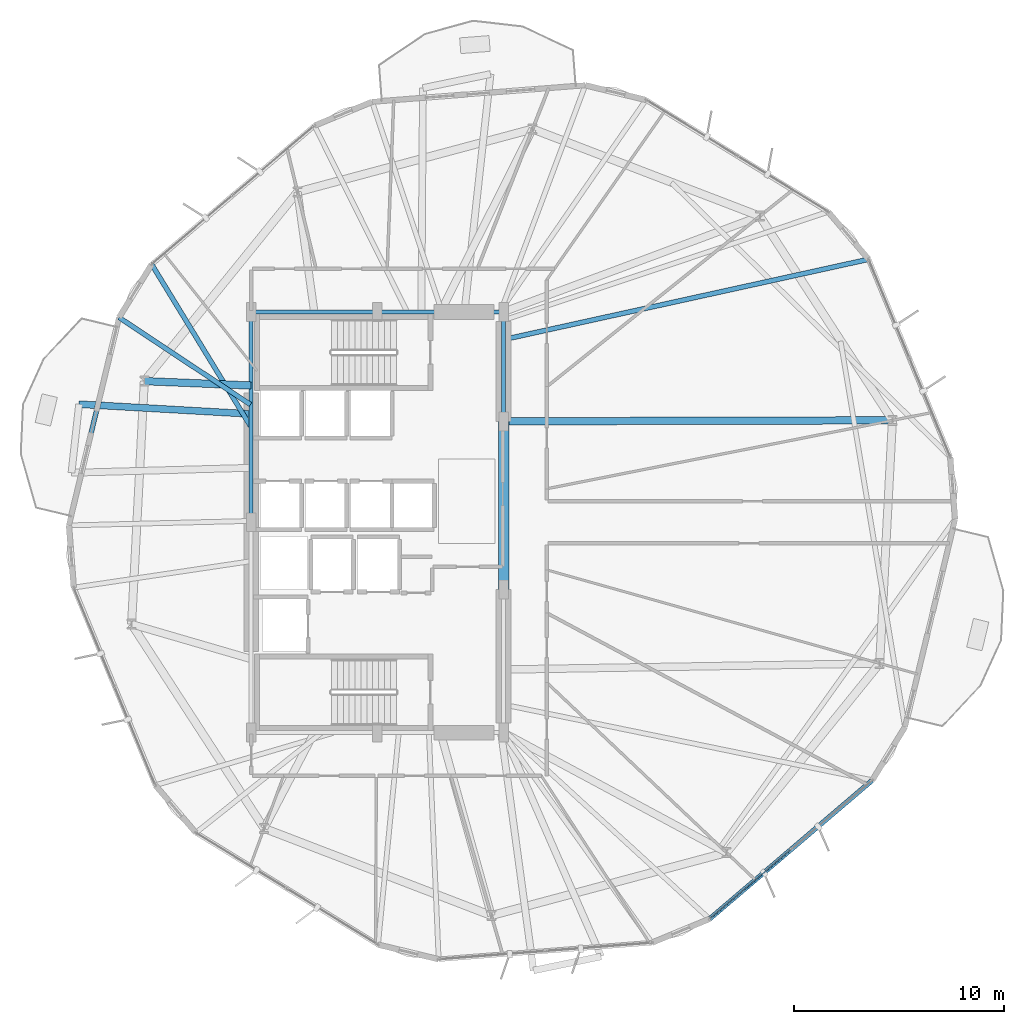
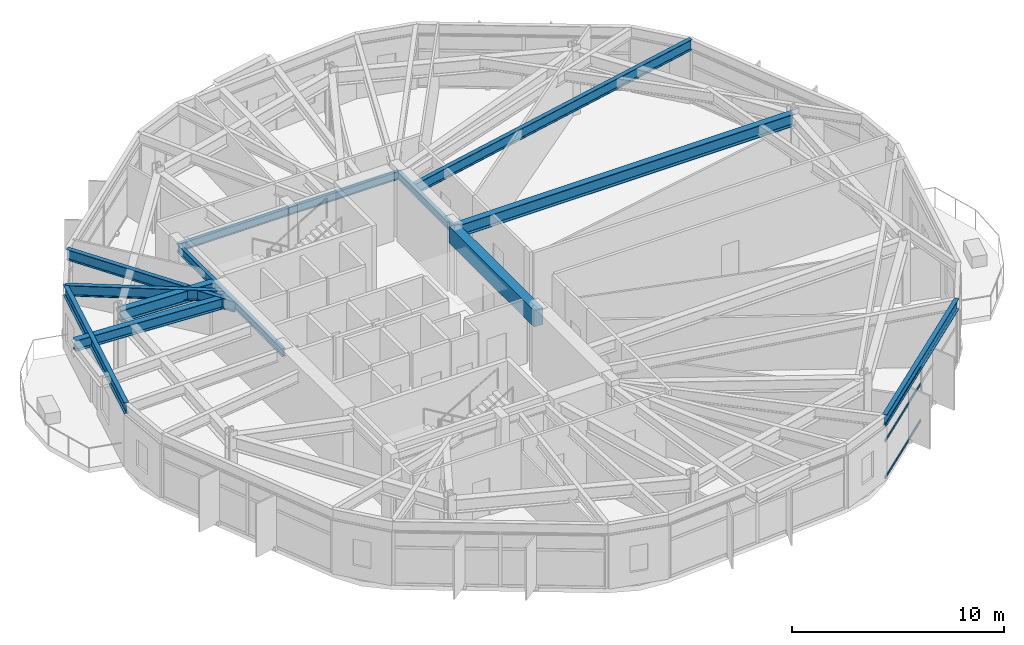
# One storey, part 8 of 22: 13 beams, 3 members, 1 element without a shape of its own.
"""IFC4 building model written with IfcOpenShell, lengths in metres."""

from ifc_helpers import new_model, si_unit, direction, frame, origin, origin_2d, place, context, subcontext, project, spatial, rectangle, hollow_rectangle, i_section, extrude, material, layer, layer_set, material_profile, profile_set, type_object, element, aggregate, save


model = new_model("IFC4")

# Units and contexts
model_context = context("Model", 3, precision=1e-05, world=origin(), true_north=direction((0.0, 1.0)))
body_context = subcontext(model_context, "Body", "Model", "MODEL_VIEW")
ifc_project = project(units=[si_unit("LENGTHUNIT", "METRE"), si_unit("AREAUNIT", "SQUARE_METRE"), si_unit("VOLUMEUNIT", "CUBIC_METRE"), si_unit("PLANEANGLEUNIT", "RADIAN"), si_unit("MASSUNIT", "GRAM", prefix="KILO")], contexts=[model_context])

# Site, building, storey
site_placement = place(None, origin())
site = spatial("IfcSite", under=ifc_project, at=site_placement, CompositionType="ELEMENT")
building_placement = place(site_placement, origin())
building = spatial("IfcBuilding", under=site, at=building_placement, Name="Soratama Intermodal Tower", CompositionType="ELEMENT")
storey_placement = place(building_placement, frame((0.0, 0.0, 50.60009765625)))
storey = spatial("IfcBuildingStorey", under=building, at=storey_placement, Name="L11", CompositionType="ELEMENT", Elevation=50.60009765625)

# Beams
ifc_material_1 = material(Name="Structural steel ASTM A992 Grade 50", Category="steel")
ifc_material_profile_1 = material_profile(ifc_material_1, i_section(OverallWidth=0.324951171875, OverallDepth=0.615966796875, WebThickness=0.013916015625, FlangeThickness=0.021484375, FilletRadius=0.013916015625, at=origin_2d()), Name="W24X117")
ifc_profile_set_1 = profile_set([ifc_material_profile_1], Name="Structural steel ASTM A992 Grade 50")
beam_type_1 = type_object("IfcBeamType", Name="BM-CANT-W24X117", PredefinedType="BEAM", material=ifc_profile_set_1)
beam_1_placement = place(storey_placement, frame((32.56005859375, 30.14892578125, 3.391845703125), z_axis=(-0.998384516691, 0.056818631031, 0.0), x_axis=(-0.056818631031, -0.998384516691, 0.0)))
element("IfcBeam", 1, at=beam_1_placement, inside=storey, type_object=beam_type_1, Name="BM-L11-CANT-2-1", PredefinedType="BEAM", context=body_context, shape_type="SweptSolid", body=[
    extrude(i_section(OverallWidth=0.324951171875, OverallDepth=0.615966796875, WebThickness=0.013916015625, FlangeThickness=0.021484375, FilletRadius=0.013916015625, at=origin_2d()), origin(), (0.0, 0.0, 1.0), 8.151123046875),
])
ifc_material_2 = material(Name="Concrete f'c 56 MPa", Category="concrete")
ifc_material_profile_2 = material_profile(ifc_material_2, rectangle(XDim=0.5, YDim=0.949951171875, at=origin_2d()), Name="RC500X950")
ifc_profile_set_2 = profile_set([ifc_material_profile_2], Name="Concrete f'c 56 MPa")
beam_type_2 = type_object("IfcBeamType", Name="BM-CPL-RC500X950", PredefinedType="BEAM", material=ifc_profile_set_2)
beam_2_placement = place(storey_placement, frame((44.60009765625, 21.800048828125, 3.224853515625), z_axis=(0.0, 1.0, 0.0), x_axis=(-1.0, 0.0, 0.0)))
element("IfcBeam", 2, at=beam_2_placement, inside=storey, type_object=beam_type_2, Name="L11 Core Coupling Beam East", PredefinedType="BEAM", context=body_context, shape_type="SweptSolid", body=[
    extrude(rectangle(XDim=0.5, YDim=0.949951171875, at=origin_2d()), origin(), (0.0, 0.0, 1.0), 8.0),
])
ifc_material_3 = material(Name="Structural steel ASTM A992 Grade 50", Category="steel")
ifc_material_profile_3 = material_profile(ifc_material_3, i_section(OverallWidth=0.19091796875, OverallDepth=0.4599609375, WebThickness=0.010009765625, FlangeThickness=0.01611328125, FilletRadius=0.010986328125, at=origin_2d()), Name="W18X55")
ifc_profile_set_3 = profile_set([ifc_material_profile_3], Name="Structural steel ASTM A992 Grade 50")
beam_type_3 = type_object("IfcBeamType", Name="BM-FLR-W18X55", PredefinedType="BEAM", material=ifc_profile_set_3)
beam_3_placement = place(storey_placement, frame((44.60009765625, 29.800048828125, 3.469970703125), z_axis=(0.0, 1.0, 0.0), x_axis=(-1.0, 0.0, 0.0)))
element("IfcBeam", 3, at=beam_3_placement, inside=storey, type_object=beam_type_3, Name="BM-L11-CRING-05", PredefinedType="BEAM", context=body_context, shape_type="SweptSolid", body=[
    extrude(i_section(OverallWidth=0.19091796875, OverallDepth=0.4599609375, WebThickness=0.010009765625, FlangeThickness=0.01611328125, FilletRadius=0.010986328125, at=origin_2d()), origin(), (0.0, 0.0, 1.0), 5.199951171875),
])
for number, where, z_axis, x_axis, name in (
    (4, (44.60009765625, 35.0, 3.469970703125), (-1.0, 0.0, 0.0), (0.0, -1.0, 0.0), "BM-L11-CRING-06"),
    (5, (38.60009765625, 35.0, 3.469970703125), (-1.0, 0.0, 0.0), (0.0, -1.0, 0.0), "BM-L11-CRING-07"),
):
    element("IfcBeam", number, at=place(storey_placement, frame(where, z_axis=z_axis, x_axis=x_axis)), inside=storey, type_object=beam_type_3, Name=name, PredefinedType="BEAM", context=body_context, shape_type="SweptSolid", body=[
        extrude(i_section(OverallWidth=0.19091796875, OverallDepth=0.4599609375, WebThickness=0.010009765625, FlangeThickness=0.01611328125, FilletRadius=0.010986328125, at=origin_2d()), origin(), (0.0, 0.0, 1.0), 6.0),
    ])
beam_4_placement = place(storey_placement, frame((32.60009765625, 35.0, 3.469970703125), z_axis=(0.0, -1.0, 0.0), x_axis=(1.0, 0.0, 0.0)))
element("IfcBeam", 6, at=beam_4_placement, inside=storey, type_object=beam_type_3, Name="BM-L11-CRING-08", PredefinedType="BEAM", context=body_context, shape_type="SweptSolid", body=[
    extrude(i_section(OverallWidth=0.19091796875, OverallDepth=0.4599609375, WebThickness=0.010009765625, FlangeThickness=0.01611328125, FilletRadius=0.010986328125, at=origin_2d()), origin(), (0.0, 0.0, 1.0), 10.0),
])
ifc_material_4 = material(Name="Structural steel ASTM A992 Grade 50", Category="steel")
ifc_material_profile_4 = material_profile(ifc_material_4, i_section(OverallWidth=0.35498046875, OverallDepth=0.695068359375, WebThickness=0.015380859375, FlangeThickness=0.02490234375, FilletRadius=0.01611328125, at=origin_2d()), Name="W27X146")
ifc_profile_set_4 = profile_set([ifc_material_profile_4], Name="Structural steel ASTM A992 Grade 50")
beam_type_4 = type_object("IfcBeamType", Name="BM-RING-W27X146", PredefinedType="BEAM", material=ifc_profile_set_4)
beam_5_placement = place(storey_placement, frame((44.60009765625, 29.800048828125, 3.352294921875), z_axis=(0.999997046146, 0.002430575896, 0.0), x_axis=(-0.002430575896, 0.999997046146, 0.0)))
element("IfcBeam", 7, at=beam_5_placement, inside=storey, type_object=beam_type_4, Name="BM-L11-RAD-01", PredefinedType="BEAM", context=body_context, shape_type="SweptSolid", body=[
    extrude(i_section(OverallWidth=0.35498046875, OverallDepth=0.695068359375, WebThickness=0.015380859375, FlangeThickness=0.02490234375, FilletRadius=0.01611328125, at=origin_2d()), origin(), (0.0, 0.0, 1.0), 18.48193359375),
])
beam_6_placement = place(storey_placement, frame((32.60009765625, 31.5, 3.352294921875), z_axis=(-0.999153929645, 0.041126936131, 0.0), x_axis=(-0.041126936131, -0.999153929645, 0.0)))
element("IfcBeam", 8, at=beam_6_placement, inside=storey, type_object=beam_type_4, Name="BM-L11-RAD-05", PredefinedType="BEAM", context=body_context, shape_type="SweptSolid", body=[
    extrude(i_section(OverallWidth=0.35498046875, OverallDepth=0.695068359375, WebThickness=0.015380859375, FlangeThickness=0.02490234375, FilletRadius=0.01611328125, at=origin_2d()), origin(), (0.0, 0.0, 1.0), 5.08154296875),
])
ifc_material_5 = material(Name="Structural steel ASTM A992 Grade 50", Category="steel")
ifc_material_profile_5 = material_profile(ifc_material_5, i_section(OverallWidth=0.22900390625, OverallDepth=0.612060546875, WebThickness=0.011962890625, FlangeThickness=0.01953125, FilletRadius=0.012939453125, at=origin_2d()), Name="W24X84")
ifc_profile_set_5 = profile_set([ifc_material_profile_5], Name="Structural steel ASTM A992 Grade 50")
beam_type_5 = type_object("IfcBeamType", Name="BM-SPN-W24X84", PredefinedType="SPANDREL", material=ifc_profile_set_5)
beam_7_placement = place(storey_placement, frame((26.319091796875, 34.73388671875, 3.393798828125), z_axis=(-0.234434706063, -0.972131867903, 0.0), x_axis=(0.972131867903, -0.234434706063, 0.0)))
element("IfcBeam", 9, at=beam_7_placement, inside=storey, type_object=beam_type_5, Name="BS-L11-F05", PredefinedType="SPANDREL", context=body_context, shape_type="SweptSolid", body=[
    extrude(i_section(OverallWidth=0.22900390625, OverallDepth=0.612060546875, WebThickness=0.011962890625, FlangeThickness=0.01953125, FilletRadius=0.012939453125, at=origin_2d()), origin(), (0.0, 0.0, 1.0), 10.1650390625),
])
beam_8_placement = place(storey_placement, frame((54.39208984375, 6.14404296875, 3.393798828125), z_axis=(0.761079425112, 0.64865869968, 0.0), x_axis=(-0.64865869968, 0.761079425112, 0.0)))
element("IfcBeam", 10, at=beam_8_placement, inside=storey, type_object=beam_type_5, Name="BS-L11-F09", PredefinedType="SPANDREL", context=body_context, shape_type="SweptSolid", body=[
    extrude(i_section(OverallWidth=0.22900390625, OverallDepth=0.612060546875, WebThickness=0.011962890625, FlangeThickness=0.01953125, FilletRadius=0.012939453125, at=origin_2d()), origin(), (0.0, 0.0, 1.0), 10.16552734375),
])
ifc_material_6 = material(Name="Structural steel ASTM A992 Grade 50", Category="steel")
ifc_material_profile_6 = material_profile(ifc_material_6, i_section(OverallWidth=0.22900390625, OverallDepth=0.612060546875, WebThickness=0.011962890625, FlangeThickness=0.01953125, FilletRadius=0.012939453125, at=origin_2d()), Name="W24X84")
ifc_profile_set_6 = profile_set([ifc_material_profile_6], Name="Structural steel ASTM A992 Grade 50")
beam_type_6 = type_object("IfcBeamType", Name="BM-TIE-W24X84", PredefinedType="BEAM", material=ifc_profile_set_6)
beam_9_placement = place(storey_placement, frame((44.638916015625, 33.693115234375, 3.393798828125), z_axis=(0.976664515895, 0.214770629724, 0.0), x_axis=(-0.214770629724, 0.976664515895, 0.0)))
element("IfcBeam", 11, at=beam_9_placement, inside=storey, type_object=beam_type_6, Name="BM-L11-TIE1-01", PredefinedType="BEAM", context=body_context, shape_type="SweptSolid", body=[
    extrude(i_section(OverallWidth=0.22900390625, OverallDepth=0.612060546875, WebThickness=0.011962890625, FlangeThickness=0.01953125, FilletRadius=0.012939453125, at=origin_2d()), origin(), (0.0, 0.0, 1.0), 17.72998046875),
])
beam_10_placement = place(storey_placement, frame((32.5791015625, 29.550048828125, 3.393798828125), z_axis=(-0.520982118339, 0.85356759098, 0.0), x_axis=(-0.85356759098, -0.520982118339, 0.0)))
element("IfcBeam", 12, at=beam_10_placement, inside=storey, type_object=beam_type_6, Name="BM-L11-TIE1-04", PredefinedType="BEAM", context=body_context, shape_type="SweptSolid", body=[
    extrude(i_section(OverallWidth=0.22900390625, OverallDepth=0.612060546875, WebThickness=0.011962890625, FlangeThickness=0.01953125, FilletRadius=0.012939453125, at=origin_2d()), origin(), (0.0, 0.0, 1.0), 9.034912109375),
])
beam_11_placement = place(storey_placement, frame((32.56689453125, 30.594970703125, 3.393798828125), z_axis=(-0.833665553298, 0.552269630927, 0.0), x_axis=(-0.552269630927, -0.833665553298, 0.0)))
element("IfcBeam", 13, at=beam_11_placement, inside=storey, type_object=beam_type_6, Name="BM-L11-TIE0-05", PredefinedType="BEAM", context=body_context, shape_type="SweptSolid", body=[
    extrude(i_section(OverallWidth=0.22900390625, OverallDepth=0.612060546875, WebThickness=0.011962890625, FlangeThickness=0.01953125, FilletRadius=0.012939453125, at=origin_2d()), origin(), (0.0, 0.0, 1.0), 7.494384765625),
])

# Curtain wall, members
ifc_material_7 = material(Name="Double-glazed aluminium curtain wall", Category="aluminium")
ifc_layer = layer(ifc_material_7, 0.159912109375)
ifc_layer_set = layer_set([ifc_layer], Name="Double-glazed aluminium curtain wall")
curtain_wall_type = type_object("IfcCurtainWallType", Name="CW-SYS-2", PredefinedType="NOTDEFINED", material=ifc_layer_set)
curtain_wall_placement = place(storey_placement, origin())
curtain_wall = element("IfcCurtainWall", 14, at=curtain_wall_placement, inside=storey, type_object=curtain_wall_type, Name="L11 Faceted Curtain Wall F09", PredefinedType="NOTDEFINED")
ifc_material_8 = material(Name="Anodised aluminium AA 6063-T6", Category="aluminium")
ifc_material_profile_7 = material_profile(ifc_material_8, hollow_rectangle(XDim=0.06494140625, YDim=0.14990234375, WallThickness=0.0048828125, InnerFilletRadius=0.0048828125, OuterFilletRadius=0.010009765625, at=origin_2d()), Name="CWT150X65X5")
ifc_profile_set_7 = profile_set([ifc_material_profile_7], Name="Anodised aluminium AA 6063-T6")
member_type = type_object("IfcMemberType", Name="TT-CWT-1", PredefinedType="USERDEFINED", material=ifc_profile_set_7)
member_1_placement = place(storey_placement, frame((54.4375, 6.183349609375, 0.02978515625), z_axis=(0.761079597276, 0.648658497678, 0.0), x_axis=(-0.648658497678, 0.761079597276, 0.0)))
member_1 = element("IfcMember", 15, at=member_1_placement, type_object=member_type, Name="CW-2 transom 1.1", ObjectType="TRANSOM", PredefinedType="USERDEFINED", context=body_context, shape_type="SweptSolid", body=[
    extrude(hollow_rectangle(XDim=0.06494140625, YDim=0.14990234375, WallThickness=0.0048828125, InnerFilletRadius=0.0048828125, OuterFilletRadius=0.010009765625, at=origin_2d()), origin(), (0.0, 0.0, 1.0), 4.99267578125),
])
member_2_placement = place(storey_placement, frame((54.4375, 6.183349609375, 2.14990234375), z_axis=(0.761079597276, 0.648658497678, 0.0), x_axis=(-0.648658497678, 0.761079597276, 0.0)))
member_2 = element("IfcMember", 16, at=member_2_placement, type_object=member_type, Name="CW-2 transom 1.2", ObjectType="TRANSOM", PredefinedType="USERDEFINED", context=body_context, shape_type="SweptSolid", body=[
    extrude(hollow_rectangle(XDim=0.06494140625, YDim=0.14990234375, WallThickness=0.0048828125, InnerFilletRadius=0.0048828125, OuterFilletRadius=0.010009765625, at=origin_2d()), origin(), (0.0, 0.0, 1.0), 4.99267578125),
])
member_3_placement = place(storey_placement, frame((54.4375, 6.183349609375, 3.048828125), z_axis=(0.761079597276, 0.648658497678, 0.0), x_axis=(-0.648658497678, 0.761079597276, 0.0)))
member_3 = element("IfcMember", 17, at=member_3_placement, type_object=member_type, Name="CW-2 transom 1.3", ObjectType="TRANSOM", PredefinedType="USERDEFINED", context=body_context, shape_type="SweptSolid", body=[
    extrude(hollow_rectangle(XDim=0.06494140625, YDim=0.14990234375, WallThickness=0.0048828125, InnerFilletRadius=0.0048828125, OuterFilletRadius=0.010009765625, at=origin_2d()), origin(), (0.0, 0.0, 1.0), 4.99267578125),
])
aggregate(curtain_wall, [member_1, member_2, member_3])

save(model, "model.ifc")
